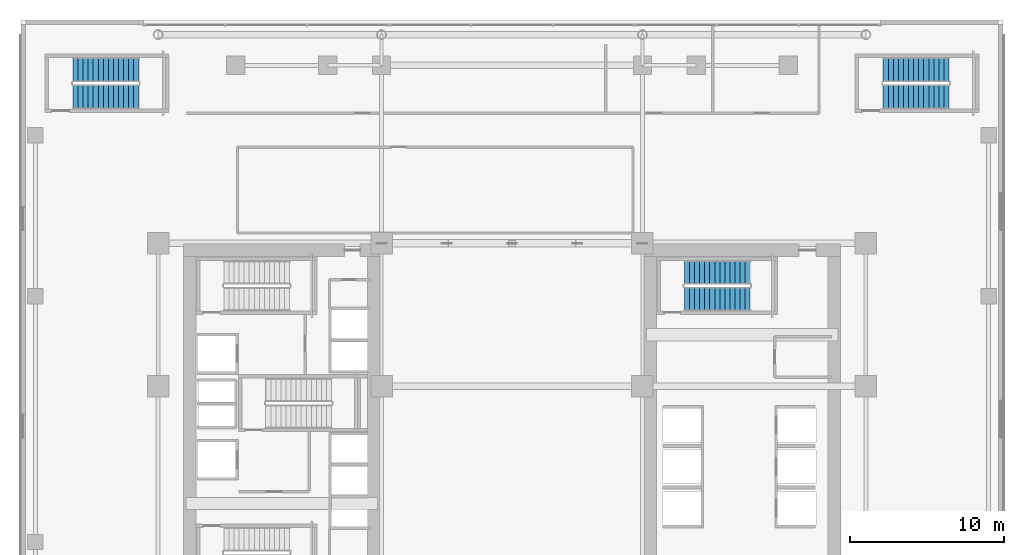
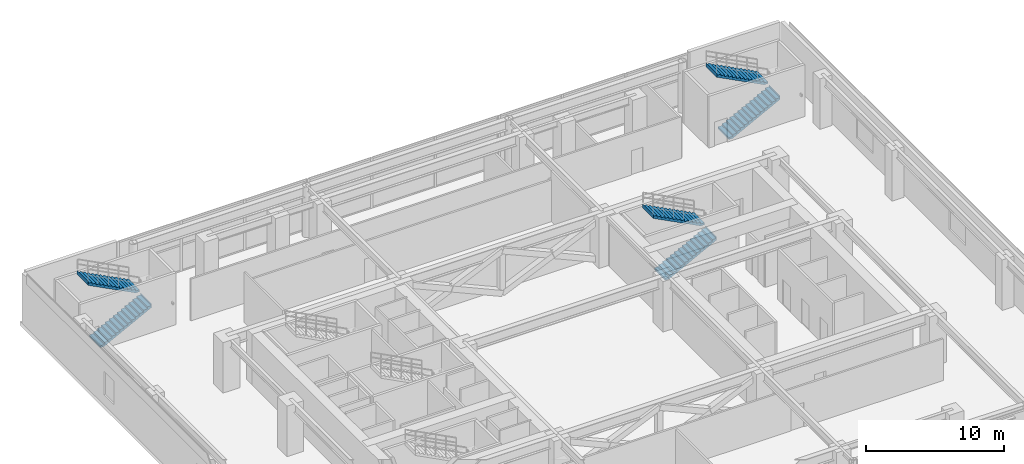
# One storey, part 22 of 28: 6 stair flights, 3 elements without a shape of their own.
"""IFC4 building model written with IfcOpenShell, lengths in metres."""

from ifc_helpers import new_model, si_unit, direction, frame, origin, place, context, subcontext, project, spatial, polyline, outline, extrude, source, transform, mapped, material, type_object, element, aggregate, save


model = new_model("IFC4")

# Units and contexts
model_context = context("Model", 3, precision=1e-05, world=origin(), true_north=direction((0.0, 1.0)))
body_context = subcontext(model_context, "Body", "Model", "MODEL_VIEW")
ifc_project = project(units=[si_unit("LENGTHUNIT", "METRE"), si_unit("AREAUNIT", "SQUARE_METRE"), si_unit("VOLUMEUNIT", "CUBIC_METRE"), si_unit("PLANEANGLEUNIT", "RADIAN"), si_unit("MASSUNIT", "GRAM", prefix="KILO")], contexts=[model_context])

# Site, building, storey
site_placement = place(None, origin())
site = spatial("IfcSite", under=ifc_project, at=site_placement, CompositionType="ELEMENT")
building_placement = place(site_placement, origin())
building = spatial("IfcBuilding", under=site, at=building_placement, Name="Ocotamira Hotel", CompositionType="ELEMENT")
storey_placement = place(building_placement, frame((0.0, 0.0, 24.0)))
storey = spatial("IfcBuildingStorey", under=building, at=storey_placement, Name="L05", CompositionType="ELEMENT", Elevation=24.0)

# Stair, stair flights
ifc_material = material(Name="Concrete C40/50", Category="concrete")
stair_type_1 = type_object("IfcStairType", Name="ST-CORE-1560", PredefinedType="HALF_TURN_STAIR", material=ifc_material)
stair_1_placement = place(storey_placement, origin())
stair_1 = element("IfcStair", 1, at=stair_1_placement, inside=storey, type_object=stair_type_1, Name="L05 Exit Stair ST-4", PredefinedType="HALF_TURN_STAIR")
stair_flight_type_1 = type_object("IfcStairFlightType", Name="STF-CORE-1560", PredefinedType="STRAIGHT", material=ifc_material)
shared_shape_1 = source(origin(), body_context, "Body", "SweptSolid", [
    extrude(outline(polyline([(-0.00390625, 0.0), (-0.00390625, 0.17138671875), (0.330078125, 0.17138671875), (0.330078125, 0.3427734375), (0.659912109375, 0.3427734375), (0.659912109375, 0.514404296875), (0.989990234375, 0.514404296875), (0.989990234375, 0.685791015625), (1.320068359375, 0.685791015625), (1.320068359375, 0.857177734375), (1.64990234375, 0.857177734375), (1.64990234375, 1.028564453125), (1.97998046875, 1.028564453125), (1.97998046875, 1.199951171875), (2.31005859375, 1.199951171875), (2.31005859375, 1.371337890625), (2.639892578125, 1.371337890625), (2.639892578125, 1.54296875), (2.969970703125, 1.54296875), (2.969970703125, 1.71435546875), (3.300048828125, 1.71435546875), (3.300048828125, 1.8857421875), (3.6298828125, 1.8857421875), (3.6298828125, 2.05712890625), (3.9599609375, 2.05712890625), (3.9599609375, 2.228515625), (4.2900390625, 2.228515625), (4.2900390625, 2.39990234375), (4.2939453125, 2.39990234375), (4.2939453125, 2.0595703125), (0.3251953125, 0.0), (-0.00390625, 0.0)])), frame((0.0, 0.780029296875, 0.0), z_axis=(0.0, -1.0, 0.0), x_axis=(1.0, 0.0, 0.0)), (0.0, 0.0, 1.0), 1.56005859375),
])
stair_flight_1_placement = place(storey_placement, frame((43.22998046875, 33.830078125, 0.0), z_axis=(0.0, 0.0, 1.0), x_axis=(1.0, 0.0, 0.0)))
stair_flight_1 = element("IfcStairFlight", 2, at=stair_flight_1_placement, type_object=stair_flight_type_1, Name="ST-4 flight 1", NumberOfRisers=14, NumberOfTreads=13, PredefinedType="STRAIGHT", RiserHeight=0.171428571, TreadLength=0.33, context=body_context, shape_type="MappedRepresentation", body=[
    mapped(shared_shape_1, transform((0.0, 0.0, 0.0), scale=1.0)),
])
stair_flight_2_placement = place(storey_placement, frame((47.52001953125, 35.550048828125, 2.39990234375), z_axis=(0.0, 0.0, 1.0), x_axis=(-1.0, 0.0, 0.0)))
stair_flight_2 = element("IfcStairFlight", 3, at=stair_flight_2_placement, type_object=stair_flight_type_1, Name="ST-4 flight 2", NumberOfRisers=14, NumberOfTreads=13, PredefinedType="STRAIGHT", RiserHeight=0.171428571, TreadLength=0.33, context=body_context, shape_type="MappedRepresentation", body=[
    mapped(shared_shape_1, transform((0.0, 0.0, 0.0), scale=1.0)),
])
aggregate(stair_1, [stair_flight_1, stair_flight_2])

stair_type_2 = type_object("IfcStairType", Name="ST-POD-1600", PredefinedType="HALF_TURN_STAIR", material=ifc_material)
stair_2_placement = place(storey_placement, origin())
stair_2 = element("IfcStair", 4, at=stair_2_placement, inside=storey, type_object=stair_type_2, Name="L05 Exit Stair ST-5", PredefinedType="HALF_TURN_STAIR")
stair_flight_type_2 = type_object("IfcStairFlightType", Name="STF-POD-1600", PredefinedType="STRAIGHT", material=ifc_material)
shared_shape_2 = source(origin(), body_context, "Body", "SweptSolid", [
    extrude(outline(polyline([(-0.00390625, 0.0), (-0.00390625, 0.17138671875), (0.330078125, 0.17138671875), (0.330078125, 0.3427734375), (0.659912109375, 0.3427734375), (0.659912109375, 0.514404296875), (0.989990234375, 0.514404296875), (0.989990234375, 0.685791015625), (1.320068359375, 0.685791015625), (1.320068359375, 0.857177734375), (1.64990234375, 0.857177734375), (1.64990234375, 1.028564453125), (1.97998046875, 1.028564453125), (1.97998046875, 1.199951171875), (2.31005859375, 1.199951171875), (2.31005859375, 1.371337890625), (2.639892578125, 1.371337890625), (2.639892578125, 1.54296875), (2.969970703125, 1.54296875), (2.969970703125, 1.71435546875), (3.300048828125, 1.71435546875), (3.300048828125, 1.8857421875), (3.6298828125, 1.8857421875), (3.6298828125, 2.05712890625), (3.9599609375, 2.05712890625), (3.9599609375, 2.228515625), (4.2900390625, 2.228515625), (4.2900390625, 2.39990234375), (4.2939453125, 2.39990234375), (4.2939453125, 2.0595703125), (0.3251953125, 0.0), (-0.00390625, 0.0)])), frame((0.0, 0.800048828125, 0.0), z_axis=(0.0, -1.0, 0.0), x_axis=(1.0, 0.0, 0.0)), (0.0, 0.0, 1.0), 1.60009765625),
])
stair_flight_3_placement = place(storey_placement, frame((3.39990234375, 47.0, 0.0), z_axis=(0.0, 0.0, 1.0), x_axis=(1.0, 0.0, 0.0)))
stair_flight_3 = element("IfcStairFlight", 5, at=stair_flight_3_placement, type_object=stair_flight_type_2, Name="ST-5 flight 1", NumberOfRisers=14, NumberOfTreads=13, PredefinedType="STRAIGHT", RiserHeight=0.171428571, TreadLength=0.33, context=body_context, shape_type="MappedRepresentation", body=[
    mapped(shared_shape_2, transform((0.0, 0.0, 0.0), scale=1.0)),
])
stair_flight_4_placement = place(storey_placement, frame((7.68994140625, 48.760009765625, 2.39990234375), z_axis=(0.0, 0.0, 1.0), x_axis=(-1.0, 0.0, 0.0)))
stair_flight_4 = element("IfcStairFlight", 6, at=stair_flight_4_placement, type_object=stair_flight_type_2, Name="ST-5 flight 2", NumberOfRisers=14, NumberOfTreads=13, PredefinedType="STRAIGHT", RiserHeight=0.171428571, TreadLength=0.33, context=body_context, shape_type="MappedRepresentation", body=[
    mapped(shared_shape_2, transform((0.0, 0.0, 0.0), scale=1.0)),
])
aggregate(stair_2, [stair_flight_3, stair_flight_4])

stair_3_placement = place(storey_placement, origin())
stair_3 = element("IfcStair", 7, at=stair_3_placement, inside=storey, type_object=stair_type_2, Name="L05 Exit Stair ST-6", PredefinedType="HALF_TURN_STAIR")
stair_flight_5_placement = place(storey_placement, frame((56.179931640625, 47.0, 0.0), z_axis=(0.0, 0.0, 1.0), x_axis=(1.0, 0.0, 0.0)))
stair_flight_5 = element("IfcStairFlight", 8, at=stair_flight_5_placement, type_object=stair_flight_type_2, Name="ST-6 flight 1", NumberOfRisers=14, NumberOfTreads=13, PredefinedType="STRAIGHT", RiserHeight=0.171428571, TreadLength=0.33, context=body_context, shape_type="MappedRepresentation", body=[
    mapped(shared_shape_2, transform((0.0, 0.0, 0.0), scale=1.0)),
])
stair_flight_6_placement = place(storey_placement, frame((60.469970703125, 48.760009765625, 2.39990234375), z_axis=(0.0, 0.0, 1.0), x_axis=(-1.0, 0.0, 0.0)))
stair_flight_6 = element("IfcStairFlight", 9, at=stair_flight_6_placement, type_object=stair_flight_type_2, Name="ST-6 flight 2", NumberOfRisers=14, NumberOfTreads=13, PredefinedType="STRAIGHT", RiserHeight=0.171428571, TreadLength=0.33, context=body_context, shape_type="MappedRepresentation", body=[
    mapped(shared_shape_2, transform((0.0, 0.0, 0.0), scale=1.0)),
])
aggregate(stair_3, [stair_flight_5, stair_flight_6])

save(model, "model.ifc")
